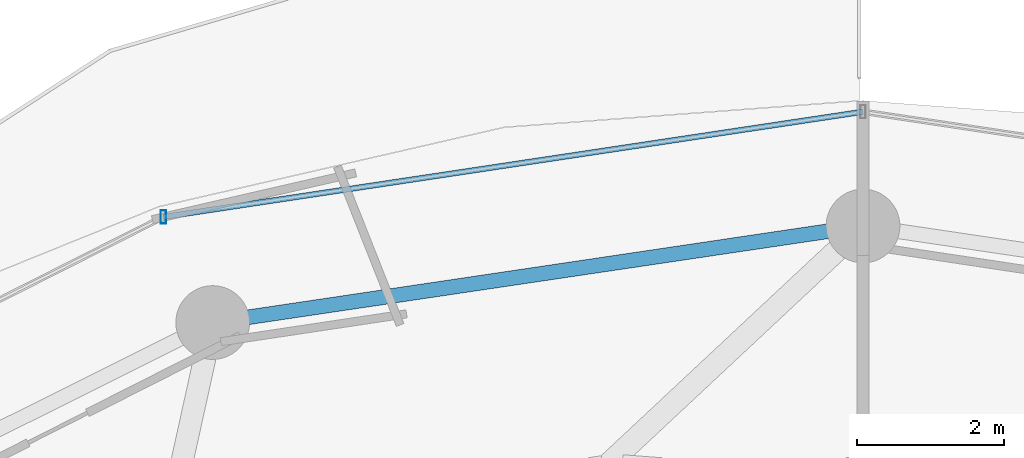
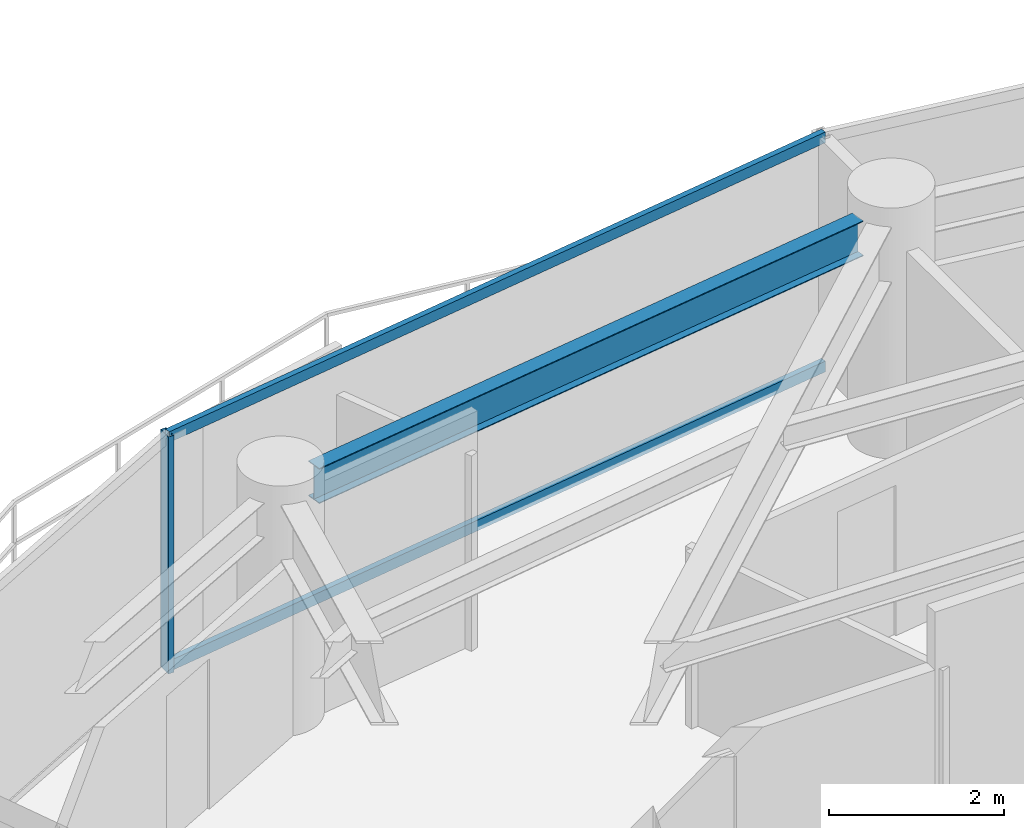
# One storey, part 18 of 31: 3 members, 1 beam, 1 element without a shape of its own.
"""IFC4 building model written with IfcOpenShell, lengths in metres."""

from ifc_helpers import new_model, si_unit, direction, frame, origin, origin_2d, place, context, subcontext, project, spatial, hollow_rectangle, i_section, extrude, material, material_profile, profile_set, type_object, element, aggregate, save


model = new_model("IFC4")

# Units and contexts
model_context = context("Model", 3, precision=1e-05, world=origin(), true_north=direction((0.0, 1.0)))
body_context = subcontext(model_context, "Body", "Model", "MODEL_VIEW")
ifc_project = project(units=[si_unit("LENGTHUNIT", "METRE"), si_unit("AREAUNIT", "SQUARE_METRE"), si_unit("VOLUMEUNIT", "CUBIC_METRE"), si_unit("PLANEANGLEUNIT", "RADIAN"), si_unit("MASSUNIT", "GRAM", prefix="KILO")], contexts=[model_context])

# Site, building, storey
site_placement = place(None, origin())
site = spatial("IfcSite", under=ifc_project, at=site_placement, CompositionType="ELEMENT")
building_placement = place(site_placement, origin())
building = spatial("IfcBuilding", under=site, at=building_placement, Name="Vorneva Point Tower", CompositionType="ELEMENT")
storey_placement = place(building_placement, frame((0.0, 0.0, 132.60009765625)))
storey = spatial("IfcBuildingStorey", under=building, at=storey_placement, Name="L35", CompositionType="ELEMENT", Elevation=132.60009765625)

# Beam
ifc_material_1 = material(Name="Steel S355", Category="steel")
ifc_material_profile_1 = material_profile(ifc_material_1, i_section(OverallWidth=0.199951171875, OverallDepth=0.491943359375, WebThickness=0.0087890625, FlangeThickness=0.011962890625, at=origin_2d()), Name="50B1")
ifc_profile_set_1 = profile_set([ifc_material_profile_1], Name="Steel S355")
beam_type = type_object("IfcBeamType", Name="BM-SPN-50B1", PredefinedType="SPANDREL", material=ifc_profile_set_1)
beam_placement = place(storey_placement, frame((37.520263671875, 43.12890625, 2.993896484375), z_axis=(-0.989161199046, -0.146833655211, 0.0), x_axis=(0.146833655211, -0.989161199046, 0.0)))
element("IfcBeam", 1, at=beam_placement, inside=storey, type_object=beam_type, Name="L35 Perimeter Spandrel Ring Beam 05", PredefinedType="SPANDREL", context=body_context, shape_type="SweptSolid", body=[
    extrude(i_section(OverallWidth=0.199951171875, OverallDepth=0.491943359375, WebThickness=0.0087890625, FlangeThickness=0.011962890625, at=origin_2d()), origin(), (0.0, 0.0, 1.0), 7.94775390625),
])

# Curtain wall, members
ifc_material_2 = material(Name="Pale anodised aluminium", Category="aluminium")
curtain_wall_type = type_object("IfcCurtainWallType", Name="CW-RES-SYS", PredefinedType="NOTDEFINED", material=ifc_material_2)
curtain_wall_placement = place(storey_placement, origin())
curtain_wall = element("IfcCurtainWall", 2, at=curtain_wall_placement, inside=storey, type_object=curtain_wall_type, Name="L35 Unitised Curtain Wall CW-L35-R02", PredefinedType="NOTDEFINED")
ifc_material_profile_2 = material_profile(ifc_material_2, hollow_rectangle(XDim=0.074951171875, YDim=0.179931640625, WallThickness=0.00390625, at=origin_2d()), Name="AL-MUL 180x75x4")
ifc_profile_set_2 = profile_set([ifc_material_profile_2], Name="Pale anodised aluminium")
member_type_1 = type_object("IfcMemberType", Name="CW-MUL-180", PredefinedType="MULLION", material=ifc_profile_set_2)
member_1_placement = place(storey_placement, frame((28.509521484375, 43.32275390625, -0.0400390625), z_axis=(0.0, 0.0, 1.0), x_axis=(1.0, 0.0, 0.0)))
member_1 = element("IfcMember", 3, at=member_1_placement, type_object=member_type_1, Name="CW-L35-R02 Mullion 04", PredefinedType="MULLION", context=body_context, shape_type="SweptSolid", body=[
    extrude(hollow_rectangle(XDim=0.074951171875, YDim=0.179931640625, WallThickness=0.00390625, at=origin_2d()), origin(), (0.0, 0.0, 1.0), 3.31005859375),
])
ifc_material_profile_3 = material_profile(ifc_material_2, hollow_rectangle(XDim=0.074951171875, YDim=0.14990234375, WallThickness=0.00390625, at=origin_2d()), Name="AL-TRN 150x75x4")
ifc_profile_set_3 = profile_set([ifc_material_profile_3], Name="Pale anodised aluminium")
member_type_2 = type_object("IfcMemberType", Name="CW-TRN-150", PredefinedType="USERDEFINED", material=ifc_profile_set_3)
member_2_placement = place(storey_placement, frame((38.0, 44.75, 0.02001953125), z_axis=(-0.988880117727, -0.148714870687, 0.0), x_axis=(0.148714870687, -0.988880117727, 0.0)))
member_2 = element("IfcMember", 4, at=member_2_placement, type_object=member_type_2, Name="CW-L35-R02 Transom 03.1", ObjectType="TRANSOM", PredefinedType="USERDEFINED", context=body_context, shape_type="SweptSolid", body=[
    extrude(hollow_rectangle(XDim=0.074951171875, YDim=0.14990234375, WallThickness=0.00390625, at=origin_2d()), origin(), (0.0, 0.0, 1.0), 9.59716796875),
])
member_3_placement = place(storey_placement, frame((38.0, 44.75, 3.219970703125), z_axis=(-0.988880117727, -0.148714870687, 0.0), x_axis=(0.148714870687, -0.988880117727, 0.0)))
member_3 = element("IfcMember", 5, at=member_3_placement, type_object=member_type_2, Name="CW-L35-R02 Transom 03.2", ObjectType="TRANSOM", PredefinedType="USERDEFINED", context=body_context, shape_type="SweptSolid", body=[
    extrude(hollow_rectangle(XDim=0.074951171875, YDim=0.14990234375, WallThickness=0.00390625, at=origin_2d()), origin(), (0.0, 0.0, 1.0), 9.59716796875),
])
aggregate(curtain_wall, [member_1, member_2, member_3])

save(model, "model.ifc")
